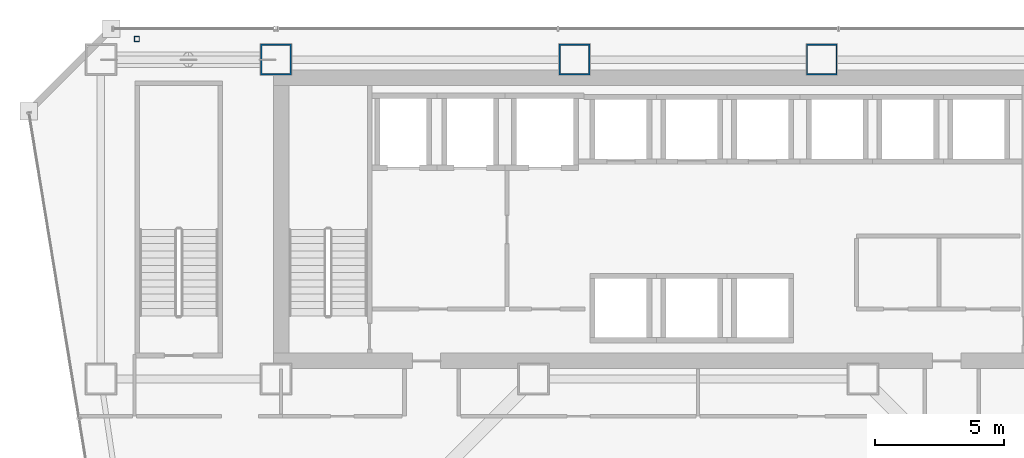
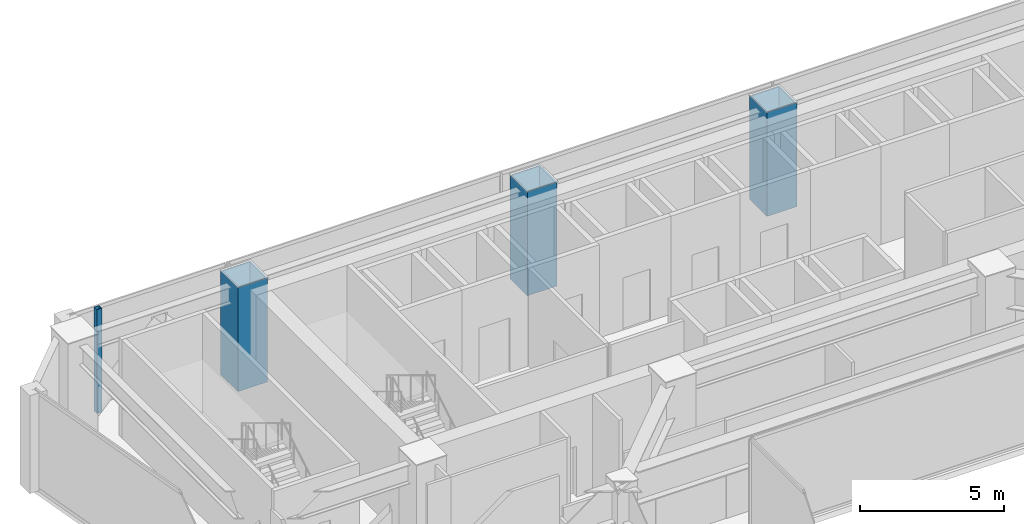
# One storey, part 2 of 40: 4 columns.
"""IFC4 building model written with IfcOpenShell, lengths in metres."""

from ifc_helpers import new_model, si_unit, direction, frame, origin, origin_2d, place, context, subcontext, project, spatial, hollow_rectangle, extrude, material, material_profile, profile_set, type_object, element, save


model = new_model("IFC4")

# Units and contexts
model_context = context("Model", 3, precision=1e-05, world=origin(), true_north=direction((0.0, 1.0)))
body_context = subcontext(model_context, "Body", "Model", "MODEL_VIEW")
ifc_project = project(units=[si_unit("LENGTHUNIT", "METRE"), si_unit("AREAUNIT", "SQUARE_METRE"), si_unit("VOLUMEUNIT", "CUBIC_METRE"), si_unit("PLANEANGLEUNIT", "RADIAN"), si_unit("MASSUNIT", "GRAM", prefix="KILO")], contexts=[model_context])

# Site, building, storey
site_placement = place(None, origin())
site = spatial("IfcSite", under=ifc_project, at=site_placement, CompositionType="ELEMENT")
building_placement = place(site_placement, origin())
building = spatial("IfcBuilding", under=site, at=building_placement, Name="Saevonmaru Cultural Tower", CompositionType="ELEMENT")
storey_placement = place(building_placement, frame((0.0, 0.0, 97.199951171875)))
storey = spatial("IfcBuildingStorey", under=building, at=storey_placement, Name="L20", CompositionType="ELEMENT", Elevation=97.199951171875)

# Columns
ifc_material_1 = material(Name="Steel HSA600 (600 MPa)", Category="steel")
ifc_material_profile_1 = material_profile(ifc_material_1, hollow_rectangle(XDim=1.199951171875, YDim=1.199951171875, WallThickness=0.054931640625, at=origin_2d()), Name="BOX-1200x1200x55")
ifc_profile_set_1 = profile_set([ifc_material_profile_1], Name="Steel HSA600 (600 MPa)")
column_type_1 = type_object("IfcColumnType", Name="COL-BOX-1200", PredefinedType="COLUMN", material=ifc_profile_set_1)
for number, where, z_axis, x_axis, name in (
    (1, (13.60009765625, 54.800048828125, 0.0), (0.0, 0.0, 1.0), (1.0, 0.0, 0.0), "L20 Column TC-N2N"),
    (2, (25.199951171875, 54.800048828125, 0.0), (0.0, 0.0, 1.0), (1.0, 0.0, 0.0), "L20 Column TC-N3N"),
    (3, (34.800048828125, 54.800048828125, 0.0), (0.0, 0.0, 1.0), (1.0, 0.0, 0.0), "L20 Column TC-N4N"),
):
    element("IfcColumn", number, at=place(storey_placement, frame(where, z_axis=z_axis, x_axis=x_axis)), inside=storey, type_object=column_type_1, Name=name, PredefinedType="COLUMN", context=body_context, shape_type="SweptSolid", body=[
        extrude(hollow_rectangle(XDim=1.199951171875, YDim=1.199951171875, WallThickness=0.054931640625, at=origin_2d()), origin(), (0.0, 0.0, 1.0), 4.400146484375),
    ])
ifc_material_2 = material(Name="Steel SM355", Category="steel")
ifc_material_profile_2 = material_profile(ifc_material_2, hollow_rectangle(XDim=0.199951171875, YDim=0.199951171875, WallThickness=0.010009765625, at=origin_2d()), Name="SHS-200x200x10")
ifc_profile_set_2 = profile_set([ifc_material_profile_2], Name="Steel SM355")
column_type_2 = type_object("IfcColumnType", Name="PIL-SHS-200", PredefinedType="PILASTER", material=ifc_profile_set_2)
column_placement = place(storey_placement, frame((8.199951171875, 55.60009765625, 0.0), z_axis=(0.0, 0.0, 1.0), x_axis=(1.0, 0.0, 0.0)))
element("IfcColumn", 4, at=column_placement, inside=storey, type_object=column_type_2, Name="L20 Art Deco Bronze-Clad Pilaster PIL-NW", PredefinedType="PILASTER", context=body_context, shape_type="SweptSolid", body=[
    extrude(hollow_rectangle(XDim=0.199951171875, YDim=0.199951171875, WallThickness=0.010009765625, at=origin_2d()), origin(), (0.0, 0.0, 1.0), 4.400146484375),
])

save(model, "model.ifc")
